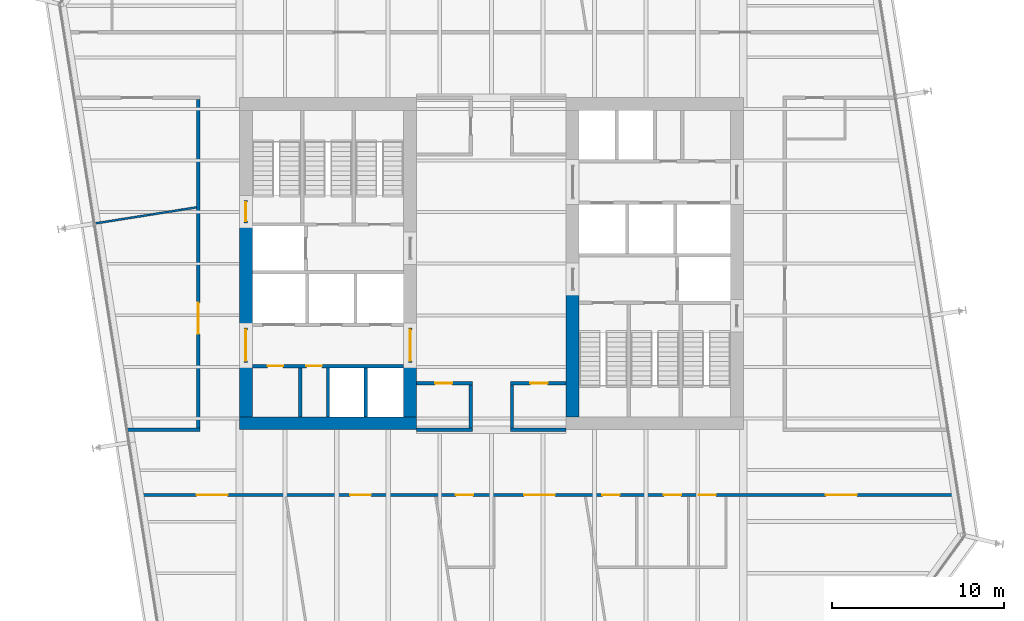
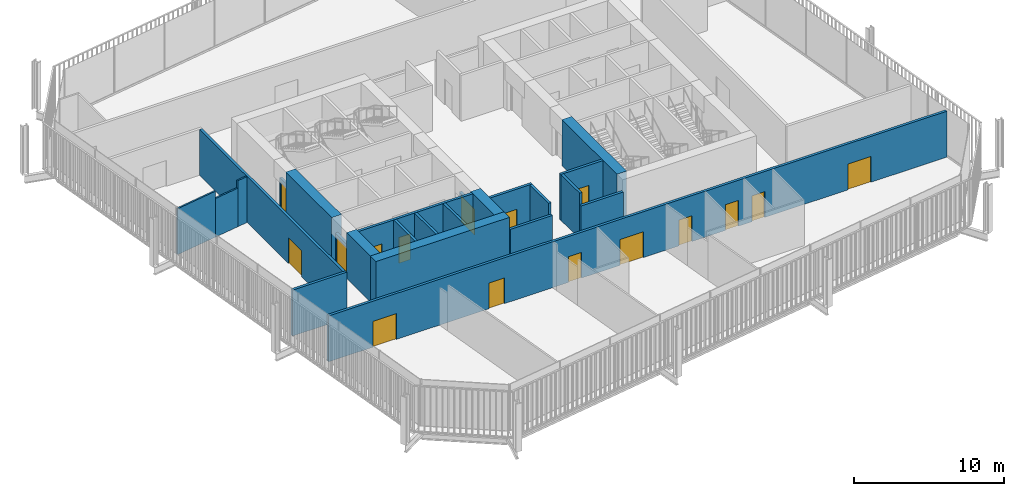
# One storey, part 17 of 21: 24 walls, 16 doors, 16 openings.
"""IFC4 building model written with IfcOpenShell, lengths in metres."""

import ifcopenshell
import ifcopenshell.guid

model = None  # the IFC model being written
_history = None  # IfcOwnerHistory: only IFC2X3 demands one
_inside = {}  # id of a spatial element -> (the spatial element, [elements in it])
_under = {}  # id of a project, library or spatial element -> (it, [spatial elements below it])
_declared = {}  # id of a project -> (the project, [libraries it declares])
_typed = {}  # id of a type object -> (the type object, [elements of that type])
_made_of = {}  # id of a material, layer set ... -> (it, [elements and type objects made of it])


def new_model(schema):
    """Start an empty IFC model of exactly this schema.

    Asked for "IFC4X3", IfcOpenShell would pick the latest addendum, in which some entities
    have other attributes; the version numbers below select the first issue.
    IFC2X3 requires an IfcOwnerHistory on every rooted entity: one is made here for all.
    """
    global model, _history
    if schema == "IFC4X3":
        model = ifcopenshell.file(schema_version=(4, 3, 0, 0))
    else:
        model = ifcopenshell.file(schema=schema)
    _inside.clear()
    _under.clear()
    _declared.clear()
    _typed.clear()
    _made_of.clear()
    _history = None
    if model.schema == "IFC2X3":
        org = make("IfcOrganization", Name="unknown")
        user = make(
            "IfcPersonAndOrganization",
            ThePerson=make("IfcPerson", FamilyName="unknown"),
            TheOrganization=org,
        )
        app = make(
            "IfcApplication",
            ApplicationDeveloper=org,
            Version="unknown",
            ApplicationFullName="unknown",
            ApplicationIdentifier="unknown",
        )
        _history = make(
            "IfcOwnerHistory",
            OwningUser=user,
            OwningApplication=app,
            ChangeAction="ADDED",
            CreationDate=0,
        )
    return model


def make(cls, **values):
    """One entity of the class cls with the attributes given. An attribute that is None is left unset."""
    return model.create_entity(
        cls, **{name: value for name, value in values.items() if value is not None}
    )


def rooted(cls, **values):
    """An entity with a GlobalId (a new one), such as an element, a storey or a relation."""
    return make(cls, GlobalId=ifcopenshell.guid.new(), OwnerHistory=_history, **values)


def si_unit(unit_type, name, prefix=None):
    """IfcSIUnit, for example si_unit("LENGTHUNIT", "METRE", prefix="MILLI")."""
    return make("IfcSIUnit", UnitType=unit_type, Prefix=prefix, Name=name)


def assignment(units):
    """IfcUnitAssignment: the units of a project."""
    return None if units is None else make("IfcUnitAssignment", Units=units)


def point(xyz):
    """IfcCartesianPoint."""
    return None if xyz is None else make("IfcCartesianPoint", Coordinates=xyz)


def direction(xyz):
    """IfcDirection."""
    return None if xyz is None else make("IfcDirection", DirectionRatios=xyz)


def frame(location, z_axis=None, x_axis=None):
    """IfcAxis2Placement3D, a coordinate frame: its origin and axes. An axis left out is left unset."""
    return make(
        "IfcAxis2Placement3D",
        Location=point(location),
        Axis=direction(z_axis),
        RefDirection=direction(x_axis),
    )


def frame_2d(location, x_axis=None):
    """IfcAxis2Placement2D, a coordinate frame in the plane: its origin and x axis."""
    return make(
        "IfcAxis2Placement2D", Location=point(location), RefDirection=direction(x_axis)
    )


def origin():
    """The frame at (0, 0, 0) with its axes left unset."""
    return frame((0.0, 0.0, 0.0))


def place(relative_to, where):
    """IfcLocalPlacement: puts the frame where relative to a parent placement (None: the world)."""
    return make(
        "IfcLocalPlacement", PlacementRelTo=relative_to, RelativePlacement=where
    )


def context(
    kind, dimensions, precision=None, world=None, true_north=None, identifier=None
):
    """IfcGeometricRepresentationContext, for example the 3D "Model" context."""
    return make(
        "IfcGeometricRepresentationContext",
        ContextIdentifier=identifier,
        ContextType=kind,
        CoordinateSpaceDimension=dimensions,
        Precision=precision,
        WorldCoordinateSystem=world,
        TrueNorth=true_north,
    )


def subcontext(parent, identifier, kind, view, scale=None):
    """IfcGeometricRepresentationSubContext, for example "Body" below "Model"."""
    return make(
        "IfcGeometricRepresentationSubContext",
        ContextIdentifier=identifier,
        ContextType=kind,
        ParentContext=parent,
        TargetScale=scale,
        TargetView=view,
    )


def project(units=None, contexts=None):
    """IfcProject with its units and contexts."""
    return rooted(
        "IfcProject",
        Name="project",
        RepresentationContexts=contexts,
        UnitsInContext=assignment(units),
    )


def spatial(cls, under=None, at=None, **own):
    """A site, building, storey or space (cls), placed at a placement, below another one or the project."""
    s = rooted(cls, ObjectPlacement=at, **own)
    if under is not None:
        _under.setdefault(under.id(), (under, []))[1].append(s)
    return s


def profile(cls, at=None, kind="AREA", **sizes):
    """A parametric profile (cls). Its sizes go by their IFC names, for example OverallWidth=200.0."""
    return make(cls, ProfileType=kind, Position=at, **sizes)


def rectangle(**sizes):
    """IfcRectangleProfileDef."""
    return profile("IfcRectangleProfileDef", **sizes)


def extrude(swept, where, along, depth):
    """IfcExtrudedAreaSolid: the profile swept, set in the frame where, extruded along a direction by depth."""
    return make(
        "IfcExtrudedAreaSolid",
        SweptArea=swept,
        Position=where,
        ExtrudedDirection=direction(along),
        Depth=depth,
    )


def shape(context_of_items, identifier, shape_type, items):
    """IfcShapeRepresentation: the items that make up one representation, for example the "Body"."""
    return make(
        "IfcShapeRepresentation",
        ContextOfItems=context_of_items,
        RepresentationIdentifier=identifier,
        RepresentationType=shape_type,
        Items=items,
    )


def material(Name=None, Category=None):
    """IfcMaterial."""
    return make("IfcMaterial", Name=Name, Category=Category)


def layer(
    of_material, thickness, ventilated=None, Name=None, Category=None, Priority=None
):
    """IfcMaterialLayer: one layer of a wall or slab, of a material (None: an air gap)."""
    return make(
        "IfcMaterialLayer",
        Material=of_material,
        LayerThickness=thickness,
        IsVentilated=ventilated,
        Name=Name,
        Category=Category,
        Priority=Priority,
    )


def layer_set(layers, Name=None):
    """IfcMaterialLayerSet."""
    return make("IfcMaterialLayerSet", MaterialLayers=layers, LayerSetName=Name)


def made_of(thing, what):
    """Note that an element or type object is made of a material, layer set ...; save() writes the relation."""
    if what is not None:
        _made_of.setdefault(what.id(), (what, []))[1].append(thing)
    return thing


def type_object(cls, material=None, **own):
    """A type object (cls), such as IfcWallType, which elements share."""
    return made_of(rooted(cls, **own), material)


def element(
    cls,
    number,
    at=None,
    inside=None,
    cuts=None,
    type_object=None,
    material=None,
    context=None,
    identifier="Body",
    shape_type=None,
    held_by="IfcProductDefinitionShape",
    body=None,
    shapes=None,
    **own,
):
    """One element of the class cls, such as IfcWall. Its Tag is "e" and its number.

    at: its placement. inside: the storey or other place that contains it. cuts: it is an
    opening in that element (IfcRelVoidsElement). A single representation is given by context,
    identifier, shape_type and body (its items); several are given by shapes. held_by: the class
    of the entity that holds the representations. save() writes the other relations.
    """
    e = rooted(cls, Tag="e%d" % number, ObjectPlacement=at, **own)
    if body is not None:
        shapes = [shape(context, identifier, shape_type, body)]
    if shapes is not None:
        e.Representation = make(held_by, Representations=shapes)
    if inside is not None:
        _inside.setdefault(inside.id(), (inside, []))[1].append(e)
    if cuts is not None:
        rooted(
            "IfcRelVoidsElement", RelatingBuildingElement=cuts, RelatedOpeningElement=e
        )
    if type_object is not None:
        _typed.setdefault(type_object.id(), (type_object, []))[1].append(e)
    return made_of(e, material)


def fill(opening, filler):
    """IfcRelFillsElement: the door or window that sits in an opening."""
    return rooted(
        "IfcRelFillsElement",
        RelatingOpeningElement=opening,
        RelatedBuildingElement=filler,
    )


def aggregate(whole, parts):
    """IfcRelAggregates: a whole, such as a stair, and the parts it consists of."""
    return rooted("IfcRelAggregates", RelatingObject=whole, RelatedObjects=parts)


def save(model, path):
    """Write the relations noted so far, then the file.

    IfcRelAggregates (storeys below a building ...), IfcRelContainedInSpatialStructure (elements
    in a storey), IfcRelDefinesByType, IfcRelAssociatesMaterial and IfcRelDeclares: one each for
    every whole, place, type object, material and project.
    """
    for whole, parts in _under.values():
        aggregate(whole, parts)
    for where, things in _inside.values():
        rooted(
            "IfcRelContainedInSpatialStructure",
            RelatedElements=things,
            RelatingStructure=where,
        )
    for kind, things in _typed.values():
        rooted("IfcRelDefinesByType", RelatedObjects=things, RelatingType=kind)
    for what, things in _made_of.values():
        rooted("IfcRelAssociatesMaterial", RelatedObjects=things, RelatingMaterial=what)
    for by, libraries in _declared.values():
        rooted("IfcRelDeclares", RelatingContext=by, RelatedDefinitions=libraries)
    model.write(path)


model = new_model("IFC4")

# Units and contexts
model_context = context("Model", 3, precision=1e-05, world=origin(), true_north=direction((0.0, 1.0)))
body_context = subcontext(model_context, "Body", "Model", "MODEL_VIEW")
ifc_project = project(units=[si_unit("LENGTHUNIT", "METRE"), si_unit("AREAUNIT", "SQUARE_METRE"), si_unit("VOLUMEUNIT", "CUBIC_METRE"), si_unit("PLANEANGLEUNIT", "RADIAN"), si_unit("MASSUNIT", "GRAM", prefix="KILO")], contexts=[model_context])

# Site, building, storey
site_placement = place(None, origin())
site = spatial("IfcSite", under=ifc_project, at=site_placement, CompositionType="ELEMENT")
building_placement = place(site_placement, origin())
building = spatial("IfcBuilding", under=site, at=building_placement, Name="Millrace Tower", CompositionType="ELEMENT")
storey_placement = place(building_placement, frame((0.0, 0.0, 141.199951171875)))
storey = spatial("IfcBuildingStorey", under=building, at=storey_placement, Name="L31", CompositionType="ELEMENT", Elevation=141.199951171875)

# Walls
ifc_material_1 = material(Name="Concrete C70", Category="concrete")
ifc_layer_1 = layer(ifc_material_1, 0.75)
ifc_layer_set_1 = layer_set([ifc_layer_1], Name="Concrete C70")
wall_type_1 = type_object("IfcWallType", Name="Core wall 750 Concrete C70", PredefinedType="SHEAR", material=ifc_layer_set_1)
wall_1_placement = place(storey_placement, frame((-14.64990234375, -9.27490234375, 0.0), z_axis=(0.0, 0.0, 1.0), x_axis=(1.0, 0.0, 0.0)))
element("IfcWall", 1, at=wall_1_placement, inside=storey, type_object=wall_type_1, Name="Core wall W L31", PredefinedType="SHEAR", context=body_context, shape_type="SweptSolid", body=[
    extrude(rectangle(XDim=10.2998046875, YDim=0.75, at=frame_2d((5.14990234375, 0.0))), origin(), (0.0, 0.0, 1.0), 3.739990234375),
])
wall_2_placement = place(storey_placement, frame((-14.27490234375, -8.89990234375, 0.0), z_axis=(0.0, 0.0, 1.0), x_axis=(0.0, 1.0, 0.0)))
element("IfcWall", 2, at=wall_2_placement, inside=storey, type_object=wall_type_1, Name="Core wall W L31", PredefinedType="SHEAR", context=body_context, shape_type="SweptSolid", body=[
    extrude(rectangle(XDim=3.14990234375, YDim=0.75, at=frame_2d((1.574951171875, 0.0))), origin(), (0.0, 0.0, 1.0), 3.739990234375),
])
wall_3_placement = place(storey_placement, frame((-14.27490234375, -3.75, 0.0), z_axis=(0.0, 0.0, 1.0), x_axis=(0.0, 1.0, 0.0)))
element("IfcWall", 3, at=wall_3_placement, inside=storey, type_object=wall_type_1, Name="Core wall W L31", PredefinedType="SHEAR", context=body_context, shape_type="SweptSolid", body=[
    extrude(rectangle(XDim=6.1298828125, YDim=0.75, at=frame_2d((3.06494140625, 0.0))), origin(), (0.0, 0.0, 1.0), 3.739990234375),
])
wall_4_placement = place(storey_placement, frame((-4.72509765625, -8.89990234375, 0.0), z_axis=(0.0, 0.0, 1.0), x_axis=(0.0, 1.0, 0.0)))
element("IfcWall", 4, at=wall_4_placement, inside=storey, type_object=wall_type_1, Name="Core wall W L31", PredefinedType="SHEAR", context=body_context, shape_type="SweptSolid", body=[
    extrude(rectangle(XDim=3.14990234375, YDim=0.75, at=frame_2d((1.574951171875, 0.0))), origin(), (0.0, 0.0, 1.0), 3.739990234375),
])
wall_5_placement = place(storey_placement, frame((4.72509765625, -1.550048828125, 0.0), z_axis=(0.0, 0.0, 1.0), x_axis=(0.0, -1.0, 0.0)))
element("IfcWall", 5, at=wall_5_placement, inside=storey, type_object=wall_type_1, Name="Core wall E L31", PredefinedType="SHEAR", context=body_context, shape_type="SweptSolid", body=[
    extrude(rectangle(XDim=7.349853515625, YDim=0.75, at=frame_2d((3.6748046875, 0.0))), origin(), (0.0, 0.0, 1.0), 3.739990234375),
])

# Wall, openings, doors
ifc_material_2 = material(Name="Masonry partition, fire-rated", Category="masonry")
ifc_layer_2 = layer(ifc_material_2, 0.199951171875)
ifc_layer_set_2 = layer_set([ifc_layer_2], Name="Masonry partition, fire-rated")
wall_type_2 = type_object("IfcWallType", Name="Corridor wall 200", PredefinedType="PARTITIONING", material=ifc_layer_set_2)
wall_6_placement = place(storey_placement, frame((-20.548583984375, -13.449951171875, 0.0), z_axis=(0.0, 0.0, 1.0), x_axis=(1.0, 0.0, 0.0)))
wall_6 = element("IfcWall", 6, at=wall_6_placement, inside=storey, type_object=wall_type_2, Name="Corridor wall L31", PredefinedType="PARTITIONING", context=body_context, shape_type="SweptSolid", body=[
    extrude(rectangle(XDim=47.646728515625, YDim=0.199951171875, at=frame_2d((23.8232421875, 0.0))), origin(), (0.0, 0.0, 1.0), 3.739990234375),
])
opening_1_placement = place(wall_6_placement, frame((3.41796875, 0.0, 0.0)))
opening_1 = element("IfcOpeningElement", 7, at=opening_1_placement, cuts=wall_6, Name="Opening 31-P010", PredefinedType="OPENING", context=body_context, shape_type="SweptSolid", body=[
    extrude(rectangle(XDim=1.800048828125, YDim=2.10009765625, at=frame_2d((0.89990234375, 1.050048828125))), frame((0.0, 0.10986328125, 0.0), z_axis=(0.0, -1.0, 0.0), x_axis=(1.0, 0.0, 0.0)), (0.0, 0.0, 1.0), 0.219970703125),
])
opening_2_placement = place(wall_6_placement, frame((12.3388671875, 0.0, 0.0)))
opening_2 = element("IfcOpeningElement", 8, at=opening_2_placement, cuts=wall_6, Name="Opening 31-P011", PredefinedType="OPENING", context=body_context, shape_type="SweptSolid", body=[
    extrude(rectangle(XDim=1.199951171875, YDim=2.10009765625, at=frame_2d((0.60009765625, 1.050048828125))), frame((0.0, 0.10986328125, 0.0), z_axis=(0.0, -1.0, 0.0), x_axis=(1.0, 0.0, 0.0)), (0.0, 0.0, 1.0), 0.219970703125),
])
opening_3_placement = place(wall_6_placement, frame((22.446533203125, 0.0, 0.0)))
opening_3 = element("IfcOpeningElement", 9, at=opening_3_placement, cuts=wall_6, Name="Opening 31-P012", PredefinedType="OPENING", context=body_context, shape_type="SweptSolid", body=[
    extrude(rectangle(XDim=1.800048828125, YDim=2.10009765625, at=frame_2d((0.89990234375, 1.050048828125))), frame((0.0, 0.10986328125, 0.0), z_axis=(0.0, -1.0, 0.0), x_axis=(1.0, 0.0, 0.0)), (0.0, 0.0, 1.0), 0.219970703125),
])
opening_4_placement = place(wall_6_placement, frame((18.492431640625, 0.0, 0.0)))
opening_4 = element("IfcOpeningElement", 10, at=opening_4_placement, cuts=wall_6, Name="Opening 31-P013", PredefinedType="OPENING", context=body_context, shape_type="SweptSolid", body=[
    extrude(rectangle(XDim=1.0, YDim=2.10009765625, at=frame_2d((0.5, 1.050048828125))), frame((0.0, 0.10986328125, 0.0), z_axis=(0.0, -1.0, 0.0), x_axis=(1.0, 0.0, 0.0)), (0.0, 0.0, 1.0), 0.219970703125),
])
opening_5_placement = place(wall_6_placement, frame((39.99853515625, 0.0, 0.0)))
opening_5 = element("IfcOpeningElement", 11, at=opening_5_placement, cuts=wall_6, Name="Opening 31-P014", PredefinedType="OPENING", context=body_context, shape_type="SweptSolid", body=[
    extrude(rectangle(XDim=1.800048828125, YDim=2.10009765625, at=frame_2d((0.89990234375, 1.050048828125))), frame((0.0, 0.10986328125, 0.0), z_axis=(0.0, -1.0, 0.0), x_axis=(1.0, 0.0, 0.0)), (0.0, 0.0, 1.0), 0.219970703125),
])
opening_6_placement = place(wall_6_placement, frame((27.00048828125, 0.0, 0.0)))
opening_6 = element("IfcOpeningElement", 12, at=opening_6_placement, cuts=wall_6, Name="Opening 31-P015", PredefinedType="OPENING", context=body_context, shape_type="SweptSolid", body=[
    extrude(rectangle(XDim=1.0, YDim=2.10009765625, at=frame_2d((0.5, 1.050048828125))), frame((0.0, 0.10986328125, 0.0), z_axis=(0.0, -1.0, 0.0), x_axis=(1.0, 0.0, 0.0)), (0.0, 0.0, 1.0), 0.219970703125),
])
opening_7_placement = place(wall_6_placement, frame((30.577392578125, 0.0, 0.0)))
opening_7 = element("IfcOpeningElement", 13, at=opening_7_placement, cuts=wall_6, Name="Opening 31-P016", PredefinedType="OPENING", context=body_context, shape_type="SweptSolid", body=[
    extrude(rectangle(XDim=1.0, YDim=2.10009765625, at=frame_2d((0.5, 1.050048828125))), frame((0.0, 0.10986328125, 0.0), z_axis=(0.0, -1.0, 0.0), x_axis=(1.0, 0.0, 0.0)), (0.0, 0.0, 1.0), 0.219970703125),
])
opening_8_placement = place(wall_6_placement, frame((32.6005859375, 0.0, 0.0)))
opening_8 = element("IfcOpeningElement", 14, at=opening_8_placement, cuts=wall_6, Name="Opening 31-P017", PredefinedType="OPENING", context=body_context, shape_type="SweptSolid", body=[
    extrude(rectangle(XDim=1.0, YDim=2.10009765625, at=frame_2d((0.5, 1.050048828125))), frame((0.0, 0.10986328125, 0.0), z_axis=(0.0, -1.0, 0.0), x_axis=(1.0, 0.0, 0.0)), (0.0, 0.0, 1.0), 0.219970703125),
])
ifc_material_3 = material(Name="Steel door set, fire-rated", Category="steel")
door_type_1 = type_object("IfcDoorType", Name="Corridor door 1000 x 2100", OperationType="SINGLE_SWING_LEFT", PredefinedType="DOOR", material=ifc_material_3)
door_1_placement = place(opening_4_placement, frame((1.0, 0.0, 0.0), z_axis=(0.0, 0.0, 1.0), x_axis=(-1.0, 0.0, 0.0)))
door_1 = element("IfcDoor", 15, at=door_1_placement, inside=storey, type_object=door_type_1, Name="Door 31-P013", OperationType="SINGLE_SWING_RIGHT", OverallHeight=2.10009765625, OverallWidth=1.0, PredefinedType="DOOR", context=body_context, shape_type="SweptSolid", body=[
    extrude(rectangle(XDim=1.0, YDim=2.10009765625, at=frame_2d((0.5, 1.050048828125))), frame((0.0, 0.02490234375, 0.0), z_axis=(0.0, -1.0, 0.0), x_axis=(1.0, 0.0, 0.0)), (0.0, 0.0, 1.0), 0.050048828125),
])
fill(opening_4, door_1)
door_2_placement = place(opening_6_placement, frame((1.0, 0.0, 0.0), z_axis=(0.0, 0.0, 1.0), x_axis=(-1.0, 0.0, 0.0)))
door_2 = element("IfcDoor", 16, at=door_2_placement, inside=storey, type_object=door_type_1, Name="Door 31-P015", OperationType="SINGLE_SWING_LEFT", OverallHeight=2.10009765625, OverallWidth=1.0, PredefinedType="DOOR", context=body_context, shape_type="SweptSolid", body=[
    extrude(rectangle(XDim=1.0, YDim=2.10009765625, at=frame_2d((0.5, 1.050048828125))), frame((0.0, 0.02490234375, 0.0), z_axis=(0.0, -1.0, 0.0), x_axis=(1.0, 0.0, 0.0)), (0.0, 0.0, 1.0), 0.050048828125),
])
fill(opening_6, door_2)
door_3_placement = place(opening_7_placement, frame((1.0, 0.0, 0.0), z_axis=(0.0, 0.0, 1.0), x_axis=(-1.0, 0.0, 0.0)))
door_3 = element("IfcDoor", 17, at=door_3_placement, inside=storey, type_object=door_type_1, Name="Door 31-P016", OperationType="SINGLE_SWING_LEFT", OverallHeight=2.10009765625, OverallWidth=1.0, PredefinedType="DOOR", context=body_context, shape_type="SweptSolid", body=[
    extrude(rectangle(XDim=1.0, YDim=2.10009765625, at=frame_2d((0.5, 1.050048828125))), frame((0.0, 0.02490234375, 0.0), z_axis=(0.0, -1.0, 0.0), x_axis=(1.0, 0.0, 0.0)), (0.0, 0.0, 1.0), 0.050048828125),
])
fill(opening_7, door_3)
door_4_placement = place(opening_8_placement, frame((1.0, 0.0, 0.0), z_axis=(0.0, 0.0, 1.0), x_axis=(-1.0, 0.0, 0.0)))
door_4 = element("IfcDoor", 18, at=door_4_placement, inside=storey, type_object=door_type_1, Name="Door 31-P017", OperationType="SINGLE_SWING_LEFT", OverallHeight=2.10009765625, OverallWidth=1.0, PredefinedType="DOOR", context=body_context, shape_type="SweptSolid", body=[
    extrude(rectangle(XDim=1.0, YDim=2.10009765625, at=frame_2d((0.5, 1.050048828125))), frame((0.0, 0.02490234375, 0.0), z_axis=(0.0, -1.0, 0.0), x_axis=(1.0, 0.0, 0.0)), (0.0, 0.0, 1.0), 0.050048828125),
])
fill(opening_8, door_4)
ifc_material_4 = material(Name="Steel door set, fire-rated", Category="steel")
door_type_2 = type_object("IfcDoorType", Name="Corridor door 1200 x 2100", OperationType="SINGLE_SWING_LEFT", PredefinedType="DOOR", material=ifc_material_4)
door_5_placement = place(opening_2_placement, frame((1.199951171875, 0.0, 0.0), z_axis=(0.0, 0.0, 1.0), x_axis=(-1.0, 0.0, 0.0)))
door_5 = element("IfcDoor", 19, at=door_5_placement, inside=storey, type_object=door_type_2, Name="Door 31-P011", OperationType="SINGLE_SWING_RIGHT", OverallHeight=2.10009765625, OverallWidth=1.199951171875, PredefinedType="DOOR", context=body_context, shape_type="SweptSolid", body=[
    extrude(rectangle(XDim=1.199951171875, YDim=2.10009765625, at=frame_2d((0.60009765625, 1.050048828125))), frame((0.0, 0.02490234375, 0.0), z_axis=(0.0, -1.0, 0.0), x_axis=(1.0, 0.0, 0.0)), (0.0, 0.0, 1.0), 0.050048828125),
])
fill(opening_2, door_5)
ifc_material_5 = material(Name="Steel door set, fire-rated", Category="steel")
door_type_3 = type_object("IfcDoorType", Name="Corridor door 1800 x 2100", OperationType="DOUBLE_DOOR_SINGLE_SWING", PredefinedType="DOOR", material=ifc_material_5)
door_6_placement = place(opening_1_placement, frame((1.800048828125, 0.0, 0.0), z_axis=(0.0, 0.0, 1.0), x_axis=(-1.0, 0.0, 0.0)))
door_6 = element("IfcDoor", 20, at=door_6_placement, inside=storey, type_object=door_type_3, Name="Door 31-P010", OperationType="DOUBLE_DOOR_SINGLE_SWING", OverallHeight=2.10009765625, OverallWidth=1.800048828125, PredefinedType="DOOR", context=body_context, shape_type="SweptSolid", body=[
    extrude(rectangle(XDim=1.800048828125, YDim=2.10009765625, at=frame_2d((0.89990234375, 1.050048828125))), frame((0.0, 0.02490234375, 0.0), z_axis=(0.0, -1.0, 0.0), x_axis=(1.0, 0.0, 0.0)), (0.0, 0.0, 1.0), 0.050048828125),
])
fill(opening_1, door_6)
door_7_placement = place(opening_3_placement, frame((1.800048828125, 0.0, 0.0), z_axis=(0.0, 0.0, 1.0), x_axis=(-1.0, 0.0, 0.0)))
door_7 = element("IfcDoor", 21, at=door_7_placement, inside=storey, type_object=door_type_3, Name="Door 31-P012", OperationType="DOUBLE_DOOR_SINGLE_SWING", OverallHeight=2.10009765625, OverallWidth=1.800048828125, PredefinedType="DOOR", context=body_context, shape_type="SweptSolid", body=[
    extrude(rectangle(XDim=1.800048828125, YDim=2.10009765625, at=frame_2d((0.89990234375, 1.050048828125))), frame((0.0, 0.02490234375, 0.0), z_axis=(0.0, -1.0, 0.0), x_axis=(1.0, 0.0, 0.0)), (0.0, 0.0, 1.0), 0.050048828125),
])
fill(opening_3, door_7)
door_8_placement = place(opening_5_placement, frame((1.800048828125, 0.0, 0.0), z_axis=(0.0, 0.0, 1.0), x_axis=(-1.0, 0.0, 0.0)))
door_8 = element("IfcDoor", 22, at=door_8_placement, inside=storey, type_object=door_type_3, Name="Door 31-P014", OperationType="DOUBLE_DOOR_SINGLE_SWING", OverallHeight=2.10009765625, OverallWidth=1.800048828125, PredefinedType="DOOR", context=body_context, shape_type="SweptSolid", body=[
    extrude(rectangle(XDim=1.800048828125, YDim=2.10009765625, at=frame_2d((0.89990234375, 1.050048828125))), frame((0.0, 0.02490234375, 0.0), z_axis=(0.0, -1.0, 0.0), x_axis=(1.0, 0.0, 0.0)), (0.0, 0.0, 1.0), 0.050048828125),
])
fill(opening_5, door_8)

# Walls
wall_7_placement = place(storey_placement, frame((-21.150390625, -9.64990234375, 0.0), z_axis=(0.0, 0.0, 1.0), x_axis=(1.0, 0.0, 0.0)))
element("IfcWall", 23, at=wall_7_placement, inside=storey, type_object=wall_type_2, Name="Corridor wall L31", PredefinedType="PARTITIONING", context=body_context, shape_type="SweptSolid", body=[
    extrude(rectangle(XDim=4.200439453125, YDim=0.199951171875, at=frame_2d((2.10009765625, 0.0))), origin(), (0.0, 0.0, 1.0), 3.739990234375),
])
for number, where, z_axis, x_axis, name in (
    (24, (-4.35009765625, -9.64990234375, 0.0), (0.0, 0.0, 1.0), (1.0, 0.0, 0.0), "Corridor wall L31"),
    (25, (1.10009765625, -9.64990234375, 0.0), (0.0, 0.0, 1.0), (1.0, 0.0, 0.0), "Corridor wall L31"),
):
    element("IfcWall", number, at=place(storey_placement, frame(where, z_axis=z_axis, x_axis=x_axis)), inside=storey, type_object=wall_type_2, Name=name, PredefinedType="PARTITIONING", context=body_context, shape_type="SweptSolid", body=[
        extrude(rectangle(XDim=3.25, YDim=0.199951171875, at=frame_2d((1.625, 0.0))), origin(), (0.0, 0.0, 1.0), 2.81298828125),
    ])

# Wall, opening, door
wall_8_placement = place(storey_placement, frame((-4.35009765625, -6.949951171875, 0.0), z_axis=(0.0, 0.0, 1.0), x_axis=(1.0, 0.0, 0.0)))
wall_8 = element("IfcWall", 26, at=wall_8_placement, inside=storey, type_object=wall_type_2, Name="Corridor wall L31", PredefinedType="PARTITIONING", context=body_context, shape_type="SweptSolid", body=[
    extrude(rectangle(XDim=3.25, YDim=0.199951171875, at=frame_2d((1.625, 0.0))), origin(), (0.0, 0.0, 1.0), 3.739990234375),
])
opening_9_placement = place(wall_8_placement, frame((1.074951171875, 0.0, 0.0)))
opening_9 = element("IfcOpeningElement", 27, at=opening_9_placement, cuts=wall_8, Name="Opening 31-P003", PredefinedType="OPENING", context=body_context, shape_type="SweptSolid", body=[
    extrude(rectangle(XDim=1.0, YDim=2.10009765625, at=frame_2d((0.5, 1.050048828125))), frame((0.0, 0.10986328125, 0.0), z_axis=(0.0, -1.0, 0.0), x_axis=(1.0, 0.0, 0.0)), (0.0, 0.0, 1.0), 0.219970703125),
])
door_9_placement = place(opening_9_placement, frame((1.0, 0.0, 0.0), z_axis=(0.0, 0.0, 1.0), x_axis=(-1.0, 0.0, 0.0)))
door_9 = element("IfcDoor", 28, at=door_9_placement, inside=storey, type_object=door_type_1, Name="Door 31-P003", OperationType="SINGLE_SWING_LEFT", OverallHeight=2.10009765625, OverallWidth=1.0, PredefinedType="DOOR", context=body_context, shape_type="SweptSolid", body=[
    extrude(rectangle(XDim=1.0, YDim=2.10009765625, at=frame_2d((0.5, 1.050048828125))), frame((0.0, 0.02490234375, 0.0), z_axis=(0.0, -1.0, 0.0), x_axis=(1.0, 0.0, 0.0)), (0.0, 0.0, 1.0), 0.050048828125),
])
fill(opening_9, door_9)

wall_9_placement = place(storey_placement, frame((1.10009765625, -6.949951171875, 0.0), z_axis=(0.0, 0.0, 1.0), x_axis=(1.0, 0.0, 0.0)))
wall_9 = element("IfcWall", 29, at=wall_9_placement, inside=storey, type_object=wall_type_2, Name="Corridor wall L31", PredefinedType="PARTITIONING", context=body_context, shape_type="SweptSolid", body=[
    extrude(rectangle(XDim=3.25, YDim=0.199951171875, at=frame_2d((1.625, 0.0))), origin(), (0.0, 0.0, 1.0), 3.739990234375),
])
opening_10_placement = place(wall_9_placement, frame((1.175048828125, 0.0, 0.0)))
opening_10 = element("IfcOpeningElement", 30, at=opening_10_placement, cuts=wall_9, Name="Opening 31-P004", PredefinedType="OPENING", context=body_context, shape_type="SweptSolid", body=[
    extrude(rectangle(XDim=1.0, YDim=2.10009765625, at=frame_2d((0.5, 1.050048828125))), frame((0.0, 0.10986328125, 0.0), z_axis=(0.0, -1.0, 0.0), x_axis=(1.0, 0.0, 0.0)), (0.0, 0.0, 1.0), 0.219970703125),
])
door_10_placement = place(opening_10_placement, frame((1.0, 0.0, 0.0), z_axis=(0.0, 0.0, 1.0), x_axis=(-1.0, 0.0, 0.0)))
door_10 = element("IfcDoor", 31, at=door_10_placement, inside=storey, type_object=door_type_1, Name="Door 31-P004", OperationType="SINGLE_SWING_LEFT", OverallHeight=2.10009765625, OverallWidth=1.0, PredefinedType="DOOR", context=body_context, shape_type="SweptSolid", body=[
    extrude(rectangle(XDim=1.0, YDim=2.10009765625, at=frame_2d((0.5, 1.050048828125))), frame((0.0, 0.02490234375, 0.0), z_axis=(0.0, -1.0, 0.0), x_axis=(1.0, 0.0, 0.0)), (0.0, 0.0, 1.0), 0.050048828125),
])
fill(opening_10, door_10)

# Walls
for number, where, z_axis, x_axis, name in (
    (32, (1.199951171875, -9.550048828125, 0.0), (0.0, 0.0, 1.0), (0.0, 1.0, 0.0), "Corridor wall L31"),
    (33, (-1.199951171875, -9.550048828125, 0.0), (0.0, 0.0, 1.0), (0.0, 1.0, 0.0), "Corridor wall L31"),
):
    element("IfcWall", number, at=place(storey_placement, frame(where, z_axis=z_axis, x_axis=x_axis)), inside=storey, type_object=wall_type_2, Name=name, PredefinedType="PARTITIONING", context=body_context, shape_type="SweptSolid", body=[
        extrude(rectangle(XDim=2.5, YDim=0.199951171875, at=frame_2d((1.25, 0.0))), origin(), (0.0, 0.0, 1.0), 3.739990234375),
    ])

# Wall, opening, door
wall_10_placement = place(storey_placement, frame((-17.050048828125, -9.550048828125, 0.0), z_axis=(0.0, 0.0, 1.0), x_axis=(0.0, 1.0, 0.0)))
wall_10 = element("IfcWall", 34, at=wall_10_placement, inside=storey, type_object=wall_type_2, Name="Corridor wall L31", PredefinedType="PARTITIONING", context=body_context, shape_type="SweptSolid", body=[
    extrude(rectangle(XDim=19.10009765625, YDim=0.199951171875, at=frame_2d((9.550048828125, 0.0))), origin(), (0.0, 0.0, 1.0), 3.739990234375),
])
opening_11_placement = place(wall_10_placement, frame((5.469970703125, 0.0, 0.0)))
opening_11 = element("IfcOpeningElement", 35, at=opening_11_placement, cuts=wall_10, Name="Opening 31-P018", PredefinedType="OPENING", context=body_context, shape_type="SweptSolid", body=[
    extrude(rectangle(XDim=1.800048828125, YDim=2.10009765625, at=frame_2d((0.89990234375, 1.050048828125))), frame((0.0, 0.10986328125, 0.0), z_axis=(0.0, -1.0, 0.0), x_axis=(1.0, 0.0, 0.0)), (0.0, 0.0, 1.0), 0.219970703125),
])
door_11_placement = place(opening_11_placement, origin())
door_11 = element("IfcDoor", 36, at=door_11_placement, inside=storey, type_object=door_type_3, Name="Door 31-P018", OperationType="DOUBLE_DOOR_SINGLE_SWING", OverallHeight=2.10009765625, OverallWidth=1.800048828125, PredefinedType="DOOR", context=body_context, shape_type="SweptSolid", body=[
    extrude(rectangle(XDim=1.800048828125, YDim=2.10009765625, at=frame_2d((0.89990234375, 1.050048828125))), frame((0.0, 0.02490234375, 0.0), z_axis=(0.0, -1.0, 0.0), x_axis=(1.0, 0.0, 0.0)), (0.0, 0.0, 1.0), 0.050048828125),
])
fill(opening_11, door_11)

# Wall, openings, doors
ifc_material_6 = material(Name="Masonry partition, fire-rated", Category="masonry")
ifc_layer_3 = layer(ifc_material_6, 0.199951171875)
ifc_layer_set_3 = layer_set([ifc_layer_3], Name="Masonry partition, fire-rated")
wall_type_3 = type_object("IfcWallType", Name="Lift shaft wall 200", PredefinedType="PARTITIONING", material=ifc_layer_set_3)
wall_11_placement = place(storey_placement, frame((-13.89990234375, -5.949951171875, 0.0), z_axis=(0.0, 0.0, 1.0), x_axis=(1.0, 0.0, 0.0)))
wall_11 = element("IfcWall", 37, at=wall_11_placement, inside=storey, type_object=wall_type_3, Name="Lift shaft wall W L31", PredefinedType="PARTITIONING", context=body_context, shape_type="SweptSolid", body=[
    extrude(rectangle(XDim=8.7998046875, YDim=0.199951171875, at=frame_2d((4.39990234375, 0.0))), origin(), (0.0, 0.0, 1.0), 3.739990234375),
])
opening_12_placement = place(wall_11_placement, frame((0.8974609375, 0.0, 0.0)))
opening_12 = element("IfcOpeningElement", 38, at=opening_12_placement, cuts=wall_11, Name="Opening 31-C005", PredefinedType="OPENING", context=body_context, shape_type="SweptSolid", body=[
    extrude(rectangle(XDim=0.89990234375, YDim=2.10009765625, at=frame_2d((0.449951171875, 1.050048828125))), frame((0.0, 0.10986328125, 0.0), z_axis=(0.0, -1.0, 0.0), x_axis=(1.0, 0.0, 0.0)), (0.0, 0.0, 1.0), 0.219970703125),
])
opening_13_placement = place(wall_11_placement, frame((3.1474609375, 0.0, 0.0)))
opening_13 = element("IfcOpeningElement", 39, at=opening_13_placement, cuts=wall_11, Name="Opening 31-C006", PredefinedType="OPENING", context=body_context, shape_type="SweptSolid", body=[
    extrude(rectangle(XDim=0.89990234375, YDim=2.10009765625, at=frame_2d((0.449951171875, 1.050048828125))), frame((0.0, 0.10986328125, 0.0), z_axis=(0.0, -1.0, 0.0), x_axis=(1.0, 0.0, 0.0)), (0.0, 0.0, 1.0), 0.219970703125),
])
ifc_material_7 = material(Name="Steel door, fire-rated", Category="steel")
door_type_4 = type_object("IfcDoorType", Name="Service room door 900 x 2100", OperationType="SINGLE_SWING_LEFT", PredefinedType="DOOR", material=ifc_material_7)
door_12_placement = place(opening_12_placement, frame((0.89990234375, 0.0, 0.0), z_axis=(0.0, 0.0, 1.0), x_axis=(-1.0, 0.0, 0.0)))
door_12 = element("IfcDoor", 40, at=door_12_placement, inside=storey, type_object=door_type_4, Name="Service room door 31-C005", OperationType="SINGLE_SWING_RIGHT", OverallHeight=2.10009765625, OverallWidth=0.89990234375, PredefinedType="DOOR", context=body_context, shape_type="SweptSolid", body=[
    extrude(rectangle(XDim=0.89990234375, YDim=2.10009765625, at=frame_2d((0.449951171875, 1.050048828125))), frame((0.0, 0.02490234375, 0.0), z_axis=(0.0, -1.0, 0.0), x_axis=(1.0, 0.0, 0.0)), (0.0, 0.0, 1.0), 0.050048828125),
])
fill(opening_12, door_12)
door_13_placement = place(opening_13_placement, frame((0.89990234375, 0.0, 0.0), z_axis=(0.0, 0.0, 1.0), x_axis=(-1.0, 0.0, 0.0)))
door_13 = element("IfcDoor", 41, at=door_13_placement, inside=storey, type_object=door_type_4, Name="Service room door 31-C006", OperationType="SINGLE_SWING_RIGHT", OverallHeight=2.10009765625, OverallWidth=0.89990234375, PredefinedType="DOOR", context=body_context, shape_type="SweptSolid", body=[
    extrude(rectangle(XDim=0.89990234375, YDim=2.10009765625, at=frame_2d((0.449951171875, 1.050048828125))), frame((0.0, 0.02490234375, 0.0), z_axis=(0.0, -1.0, 0.0), x_axis=(1.0, 0.0, 0.0)), (0.0, 0.0, 1.0), 0.050048828125),
])
fill(opening_13, door_13)

# Walls
for number, where, z_axis, x_axis, name in (
    (42, (-9.5, -8.89990234375, 0.0), (0.0, 0.0, 1.0), (0.0, 1.0, 0.0), "Lift shaft wall W L31"),
    (43, (-7.300048828125, -8.89990234375, 0.0), (0.0, 0.0, 1.0), (0.0, 1.0, 0.0), "Lift shaft wall W L31"),
):
    element("IfcWall", number, at=place(storey_placement, frame(where, z_axis=z_axis, x_axis=x_axis)), inside=storey, type_object=wall_type_3, Name=name, PredefinedType="PARTITIONING", context=body_context, shape_type="SweptSolid", body=[
        extrude(rectangle(XDim=2.849853515625, YDim=0.199951171875, at=frame_2d((1.4248046875, 0.0))), origin(), (0.0, 0.0, 1.0), 3.739990234375),
    ])

# Wall, opening, door
ifc_material_8 = material(Name="Masonry partition, fire-rated", Category="masonry")
ifc_layer_4 = layer(ifc_material_8, 0.199951171875)
ifc_layer_set_4 = layer_set([ifc_layer_4], Name="Masonry partition, fire-rated")
wall_type_4 = type_object("IfcWallType", Name="Lobby wall 200", PredefinedType="PARTITIONING", material=ifc_layer_set_4)
wall_12_placement = place(storey_placement, frame((-14.27490234375, -5.75, 0.0), z_axis=(0.0, 0.0, 1.0), x_axis=(0.0, 1.0, 0.0)))
wall_12 = element("IfcWall", 44, at=wall_12_placement, inside=storey, type_object=wall_type_4, Name="Lobby wall W L31", PredefinedType="PARTITIONING", context=body_context, shape_type="SweptSolid", body=[
    extrude(rectangle(XDim=2.0, YDim=0.199951171875, at=frame_2d((1.0, 0.0))), origin(), (0.0, 0.0, 1.0), 2.400146484375),
])
opening_14_placement = place(wall_12_placement, frame((0.10009765625, 0.0, 0.0)))
opening_14 = element("IfcOpeningElement", 45, at=opening_14_placement, cuts=wall_12, Name="Opening 31-C001", PredefinedType="OPENING", context=body_context, shape_type="SweptSolid", body=[
    extrude(rectangle(XDim=1.800048828125, YDim=2.10009765625, at=frame_2d((0.89990234375, 1.050048828125))), frame((0.0, 0.10986328125, 0.0), z_axis=(0.0, -1.0, 0.0), x_axis=(1.0, 0.0, 0.0)), (0.0, 0.0, 1.0), 0.219970703125),
])
ifc_material_9 = material(Name="Steel door, fire-rated", Category="steel")
door_type_5 = type_object("IfcDoorType", Name="Lobby door 1800 x 2100", OperationType="DOUBLE_DOOR_SINGLE_SWING", PredefinedType="DOOR", material=ifc_material_9)
door_14_placement = place(opening_14_placement, origin())
door_14 = element("IfcDoor", 46, at=door_14_placement, inside=storey, type_object=door_type_5, Name="Lobby door 31-C001", OperationType="DOUBLE_DOOR_SINGLE_SWING", OverallHeight=2.10009765625, OverallWidth=1.800048828125, PredefinedType="DOOR", context=body_context, shape_type="SweptSolid", body=[
    extrude(rectangle(XDim=1.800048828125, YDim=2.10009765625, at=frame_2d((0.89990234375, 1.050048828125))), frame((0.0, 0.02490234375, 0.0), z_axis=(0.0, -1.0, 0.0), x_axis=(1.0, 0.0, 0.0)), (0.0, 0.0, 1.0), 0.050048828125),
])
fill(opening_14, door_14)

wall_13_placement = place(storey_placement, frame((-4.72509765625, -5.75, 0.0), z_axis=(0.0, 0.0, 1.0), x_axis=(0.0, 1.0, 0.0)))
wall_13 = element("IfcWall", 47, at=wall_13_placement, inside=storey, type_object=wall_type_4, Name="Lobby wall W L31", PredefinedType="PARTITIONING", context=body_context, shape_type="SweptSolid", body=[
    extrude(rectangle(XDim=2.0, YDim=0.199951171875, at=frame_2d((1.0, 0.0))), origin(), (0.0, 0.0, 1.0), 2.400146484375),
])
opening_15_placement = place(wall_13_placement, frame((0.10009765625, 0.0, 0.0)))
opening_15 = element("IfcOpeningElement", 48, at=opening_15_placement, cuts=wall_13, Name="Opening 31-C003", PredefinedType="OPENING", context=body_context, shape_type="SweptSolid", body=[
    extrude(rectangle(XDim=1.800048828125, YDim=2.10009765625, at=frame_2d((0.89990234375, 1.050048828125))), frame((0.0, 0.10986328125, 0.0), z_axis=(0.0, -1.0, 0.0), x_axis=(1.0, 0.0, 0.0)), (0.0, 0.0, 1.0), 0.219970703125),
])
door_15_placement = place(opening_15_placement, origin())
door_15 = element("IfcDoor", 49, at=door_15_placement, inside=storey, type_object=door_type_5, Name="Lobby door 31-C003", OperationType="DOUBLE_DOOR_SINGLE_SWING", OverallHeight=2.10009765625, OverallWidth=1.800048828125, PredefinedType="DOOR", context=body_context, shape_type="SweptSolid", body=[
    extrude(rectangle(XDim=1.800048828125, YDim=2.10009765625, at=frame_2d((0.89990234375, 1.050048828125))), frame((0.0, 0.02490234375, 0.0), z_axis=(0.0, -1.0, 0.0), x_axis=(1.0, 0.0, 0.0)), (0.0, 0.0, 1.0), 0.050048828125),
])
fill(opening_15, door_15)

# Walls
ifc_material_10 = material(Name="Gypsum board partition")
ifc_layer_5 = layer(ifc_material_10, 0.1201171875)
ifc_layer_set_5 = layer_set([ifc_layer_5], Name="Gypsum board partition")
wall_type_5 = type_object("IfcWallType", Name="Partition wall 120", PredefinedType="PARTITIONING", material=ifc_layer_set_5)
wall_14_placement = place(storey_placement, frame((-23.04931640625, 2.340087890625, 0.0), z_axis=(0.0, 0.0, 1.0), x_axis=(0.987689028816, 0.156430119722, 0.0)))
element("IfcWall", 50, at=wall_14_placement, inside=storey, type_object=wall_type_5, Name="Partition wall L31", PredefinedType="PARTITIONING", context=body_context, shape_type="SweptSolid", body=[
    extrude(rectangle(XDim=3.271240234375, YDim=0.1201171875, at=frame_2d((1.6357421875, 0.0))), origin(), (0.0, 0.0, 1.0), 3.739990234375),
])
wall_15_placement = place(storey_placement, frame((-19.818359375, 2.851806640625, 0.0), z_axis=(0.0, 0.0, 1.0), x_axis=(0.987713861463, 0.156273247467, 0.0)))
element("IfcWall", 51, at=wall_15_placement, inside=storey, type_object=wall_type_5, Name="Partition wall L31", PredefinedType="PARTITIONING", context=body_context, shape_type="SweptSolid", body=[
    extrude(rectangle(XDim=1.896484375, YDim=0.1201171875, at=frame_2d((0.9482421875, 0.0))), origin(), (0.0, 0.0, 1.0), 3.140625),
])
wall_16_placement = place(storey_placement, frame((-17.945068359375, 3.148193359375, 0.0), z_axis=(0.0, 0.0, 1.0), x_axis=(0.987671963472, 0.15653783112, 0.0)))
element("IfcWall", 52, at=wall_16_placement, inside=storey, type_object=wall_type_5, Name="Partition wall L31", PredefinedType="PARTITIONING", context=body_context, shape_type="SweptSolid", body=[
    extrude(rectangle(XDim=0.806396484375, YDim=0.1201171875, at=frame_2d((0.4033203125, 0.0))), origin(), (0.0, 0.0, 1.0), 3.739990234375),
])
ifc_material_11 = material(Name="Masonry partition, fire-rated", Category="masonry")
ifc_layer_6 = layer(ifc_material_11, 0.199951171875)
ifc_layer_set_6 = layer_set([ifc_layer_6], Name="Masonry partition, fire-rated")
wall_type_6 = type_object("IfcWallType", Name="Room partition 200", PredefinedType="PARTITIONING", material=ifc_layer_set_6)
wall_17_placement = place(storey_placement, frame((-11.10498046875, -8.89990234375, 0.0), z_axis=(0.0, 0.0, 1.0), x_axis=(0.0, 1.0, 0.0)))
element("IfcWall", 53, at=wall_17_placement, inside=storey, type_object=wall_type_6, Name="Room partition W L31", PredefinedType="PARTITIONING", context=body_context, shape_type="SweptSolid", body=[
    extrude(rectangle(XDim=2.849853515625, YDim=0.199951171875, at=frame_2d((1.4248046875, 0.0))), origin(), (0.0, 0.0, 1.0), 3.739990234375),
])

# Wall, opening, door
ifc_material_12 = material(Name="Concrete C40", Category="concrete")
ifc_layer_7 = layer(ifc_material_12, 0.199951171875)
ifc_layer_set_7 = layer_set([ifc_layer_7], Name="Concrete C40")
wall_type_7 = type_object("IfcWallType", Name="Stair enclosure wall 200 Concrete C40", PredefinedType="SHEAR", material=ifc_layer_set_7)
wall_18_placement = place(storey_placement, frame((-14.27490234375, 2.3798828125, 0.0), z_axis=(0.0, 0.0, 1.0), x_axis=(0.0, 1.0, 0.0)))
wall_18 = element("IfcWall", 54, at=wall_18_placement, inside=storey, type_object=wall_type_7, Name="Stair enclosure wall W L31", PredefinedType="SHEAR", context=body_context, shape_type="SweptSolid", body=[
    extrude(rectangle(XDim=1.300048828125, YDim=0.199951171875, at=frame_2d((0.64990234375, 0.0))), origin(), (0.0, 0.0, 1.0), 2.400146484375),
])
opening_16_placement = place(wall_18_placement, frame((0.10009765625, 0.0, 0.0)))
opening_16 = element("IfcOpeningElement", 55, at=opening_16_placement, cuts=wall_18, Name="Opening 31-C002", PredefinedType="OPENING", context=body_context, shape_type="SweptSolid", body=[
    extrude(rectangle(XDim=1.10009765625, YDim=2.10009765625, at=frame_2d((0.550048828125, 1.050048828125))), frame((0.0, 0.10986328125, 0.0), z_axis=(0.0, -1.0, 0.0), x_axis=(1.0, 0.0, 0.0)), (0.0, 0.0, 1.0), 0.219970703125),
])
ifc_material_13 = material(Name="Steel door, fire-rated", Category="steel")
door_type_6 = type_object("IfcDoorType", Name="Stair door 1100 x 2100", OperationType="SINGLE_SWING_LEFT", PredefinedType="DOOR", material=ifc_material_13)
door_16_placement = place(opening_16_placement, origin())
door_16 = element("IfcDoor", 56, at=door_16_placement, inside=storey, type_object=door_type_6, Name="Stair door 31-C002", OperationType="SINGLE_SWING_RIGHT", OverallHeight=2.10009765625, OverallWidth=1.10009765625, PredefinedType="DOOR", context=body_context, shape_type="SweptSolid", body=[
    extrude(rectangle(XDim=1.10009765625, YDim=2.10009765625, at=frame_2d((0.550048828125, 1.050048828125))), frame((0.0, 0.02490234375, 0.0), z_axis=(0.0, -1.0, 0.0), x_axis=(1.0, 0.0, 0.0)), (0.0, 0.0, 1.0), 0.050048828125),
])
fill(opening_16, door_16)

save(model, "model.ifc")
